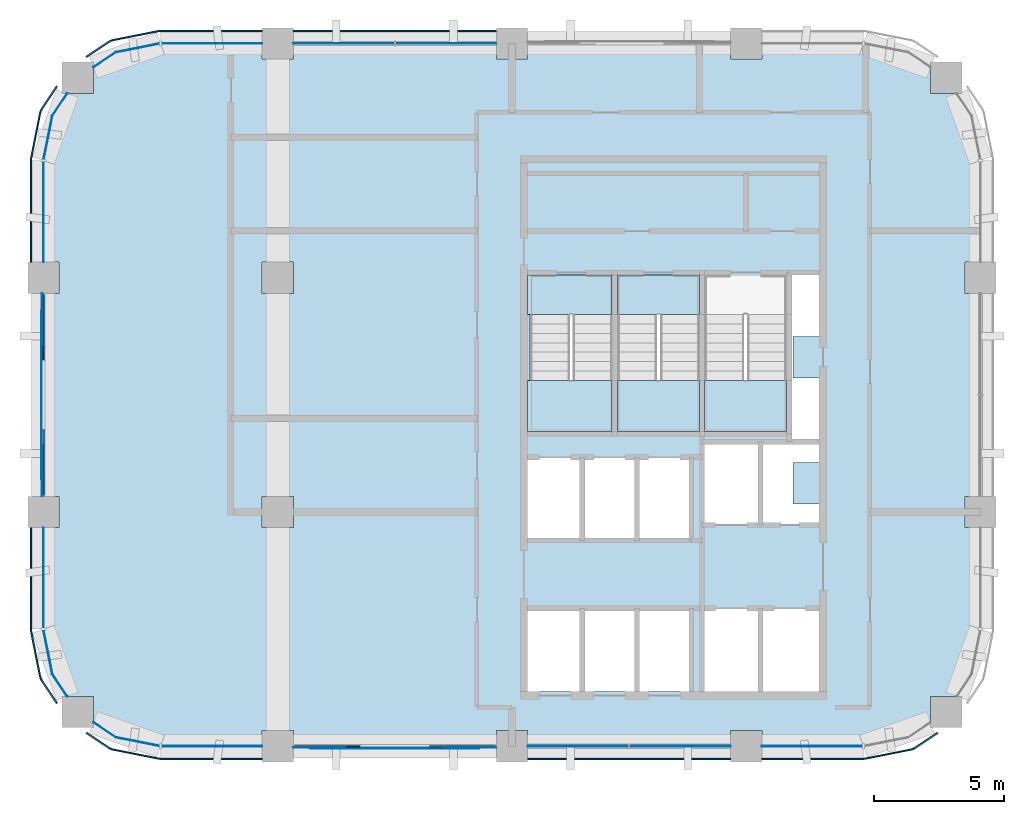
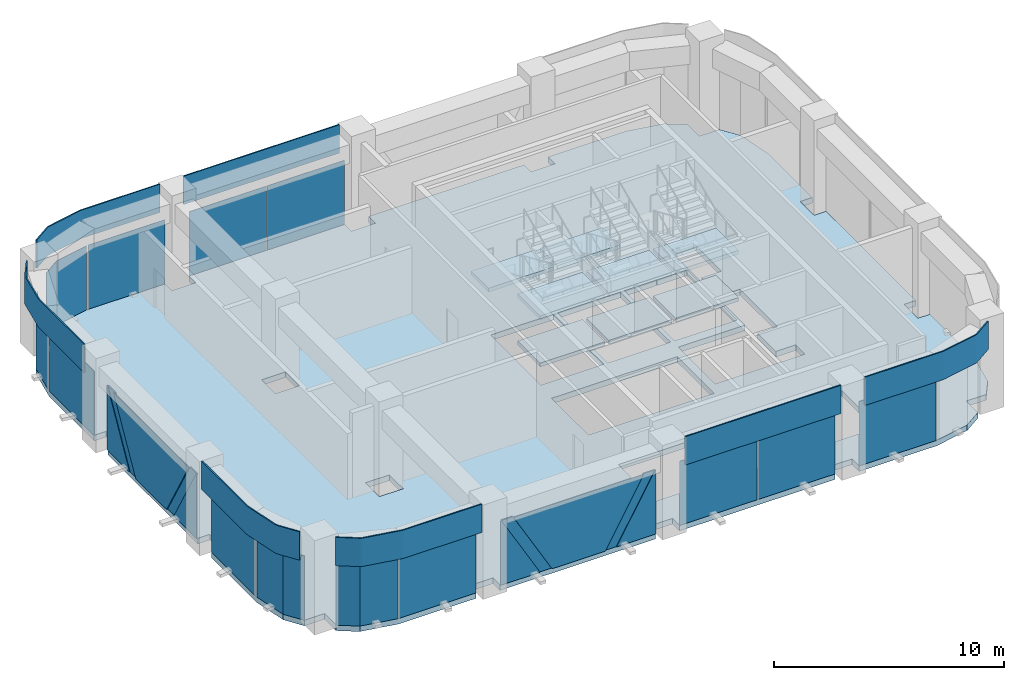
# One storey, part 6 of 11: 30 plates, 9 slabs, 12 elements without a shape of their own.
"""IFC4 building model written with IfcOpenShell, lengths in metres."""

from ifc_helpers import new_model, si_unit, direction, frame, origin, origin_2d, place, context, subcontext, project, spatial, polyline, rectangle, outline, extrude, material, layer, layer_set, type_object, element, aggregate, save


model = new_model("IFC4")

# Units and contexts
model_context = context("Model", 3, precision=1e-05, world=origin(), true_north=direction((0.0, 1.0)))
body_context = subcontext(model_context, "Body", "Model", "MODEL_VIEW")
ifc_project = project(units=[si_unit("LENGTHUNIT", "METRE"), si_unit("AREAUNIT", "SQUARE_METRE"), si_unit("VOLUMEUNIT", "CUBIC_METRE"), si_unit("PLANEANGLEUNIT", "RADIAN"), si_unit("MASSUNIT", "GRAM", prefix="KILO")], contexts=[model_context])

# Site, building, storey
site_placement = place(None, origin())
site = spatial("IfcSite", under=ifc_project, at=site_placement, CompositionType="ELEMENT")
building_placement = place(site_placement, origin())
building = spatial("IfcBuilding", under=site, at=building_placement, Name="Tessera Arch", CompositionType="ELEMENT")
storey_placement = place(building_placement, frame((0.0, 0.0, 290.199951171875)))
storey = spatial("IfcBuildingStorey", under=building, at=storey_placement, Name="L70", CompositionType="ELEMENT", Elevation=290.199951171875)

# Curtain wall, plates
ifc_material_1 = material(Name="CW1 curtain wall")
curtain_wall_type_1 = type_object("IfcCurtainWallType", Name="CW1 curtain wall", PredefinedType="NOTDEFINED", material=ifc_material_1)
curtain_wall_1_placement = place(storey_placement, origin())
curtain_wall_1 = element("IfcCurtainWall", 1, at=curtain_wall_1_placement, inside=storey, type_object=curtain_wall_type_1, Name="CW1 curtain wall N54.18/2 L70", PredefinedType="NOTDEFINED")
ifc_material_2 = material(Name="Clear low-e glass", Category="glass")
ifc_material_3 = material(Name="Clear low-e glass", Category="glass")
ifc_layer_1 = layer(ifc_material_3, 0.028076171875)
ifc_layer_set_1 = layer_set([ifc_layer_1], Name="CW1 glass panel")
plate_type_1 = type_object("IfcPlateType", Name="CW1 glass panel", PredefinedType="CURTAIN_PANEL", material=ifc_layer_set_1)
plate_1_placement = place(storey_placement, frame((33.465087890625, 54.0, 0.0), z_axis=(0.0, 0.0, 1.0), x_axis=(-1.0, 0.0, 0.0)))
plate_1 = element("IfcPlate", 2, at=plate_1_placement, type_object=plate_type_1, material=ifc_material_2, Name="CW1 glass panel N54.18/2 1.1.1", PredefinedType="CURTAIN_PANEL", context=body_context, shape_type="SweptSolid", body=[
    extrude(rectangle(XDim=3.8701171875, YDim=0.028076171875, at=origin_2d()), origin(), (0.0, 0.0, 1.0), 3.39990234375),
])
plate_2_placement = place(storey_placement, frame((29.534912109375, 54.0, 0.0), z_axis=(0.0, 0.0, 1.0), x_axis=(-1.0, 0.0, 0.0)))
plate_2 = element("IfcPlate", 3, at=plate_2_placement, type_object=plate_type_1, material=ifc_material_2, Name="CW1 glass panel N54.18/2 1.2.1", PredefinedType="CURTAIN_PANEL", context=body_context, shape_type="SweptSolid", body=[
    extrude(rectangle(XDim=3.8701171875, YDim=0.028076171875, at=origin_2d()), origin(), (0.0, 0.0, 1.0), 3.39990234375),
])

curtain_wall_2_placement = place(storey_placement, origin())
curtain_wall_2 = element("IfcCurtainWall", 4, at=curtain_wall_2_placement, inside=storey, type_object=curtain_wall_type_1, Name="CW1 curtain wall S27.18/2 L70", PredefinedType="NOTDEFINED")
plate_3_placement = place(storey_placement, frame((38.534912109375, 27.0, 0.0), z_axis=(0.0, 0.0, 1.0), x_axis=(1.0, 0.0, 0.0)))
plate_3 = element("IfcPlate", 5, at=plate_3_placement, type_object=plate_type_1, material=ifc_material_2, Name="CW1 glass panel S27.18/2 1.1.1", PredefinedType="CURTAIN_PANEL", context=body_context, shape_type="SweptSolid", body=[
    extrude(rectangle(XDim=3.8701171875, YDim=0.028076171875, at=origin_2d()), origin(), (0.0, 0.0, 1.0), 3.39990234375),
])
plate_4_placement = place(storey_placement, frame((42.465087890625, 27.0, 0.0), z_axis=(0.0, 0.0, 1.0), x_axis=(1.0, 0.0, 0.0)))
plate_4 = element("IfcPlate", 6, at=plate_4_placement, type_object=plate_type_1, material=ifc_material_2, Name="CW1 glass panel S27.18/2 1.2.1", PredefinedType="CURTAIN_PANEL", context=body_context, shape_type="SweptSolid", body=[
    extrude(rectangle(XDim=3.8701171875, YDim=0.028076171875, at=origin_2d()), origin(), (0.0, 0.0, 1.0), 3.39990234375),
])

# Plate
ifc_material_4 = material(Name="Pale anodised aluminium panel", Category="aluminium")
ifc_layer_2 = layer(ifc_material_4, 0.06005859375)
ifc_layer_set_2 = layer_set([ifc_layer_2], Name="CW1 spandrel panel")
plate_type_2 = type_object("IfcPlateType", Name="CW1 spandrel panel", PredefinedType="CURTAIN_PANEL", material=ifc_layer_set_2)
plate_5_placement = place(storey_placement, frame((31.5, 54.47998046875, 3.5), z_axis=(0.0, 0.0, 1.0), x_axis=(-1.0, 0.0, 0.0)))
plate_5 = element("IfcPlate", 7, at=plate_5_placement, type_object=plate_type_2, Name="CW1 spandrel panel N54.18/2", PredefinedType="CURTAIN_PANEL", context=body_context, shape_type="SweptSolid", body=[
    extrude(rectangle(XDim=7.800048828125, YDim=0.06005859375, at=origin_2d()), origin(), (0.0, 0.0, 1.0), 1.5),
])

aggregate(curtain_wall_1, [plate_1, plate_2, plate_5])

plate_6_placement = place(storey_placement, frame((40.5, 26.52001953125, 3.5), z_axis=(0.0, 0.0, 1.0), x_axis=(1.0, 0.0, 0.0)))
plate_6 = element("IfcPlate", 8, at=plate_6_placement, type_object=plate_type_2, Name="CW1 spandrel panel S27.18/2", PredefinedType="CURTAIN_PANEL", context=body_context, shape_type="SweptSolid", body=[
    extrude(rectangle(XDim=7.800048828125, YDim=0.06005859375, at=origin_2d()), origin(), (0.0, 0.0, 1.0), 1.5),
])

aggregate(curtain_wall_2, [plate_3, plate_4, plate_6])

# Curtain wall, plates
ifc_material_5 = material(Name="CW2 curtain wall")
curtain_wall_type_2 = type_object("IfcCurtainWallType", Name="CW2 curtain wall", PredefinedType="NOTDEFINED", material=ifc_material_5)
curtain_wall_3_placement = place(storey_placement, origin())
curtain_wall_3 = element("IfcCurtainWall", 9, at=curtain_wall_3_placement, inside=storey, type_object=curtain_wall_type_2, Name="CW2 curtain wall N54.18/3 L70", PredefinedType="NOTDEFINED")
ifc_material_6 = material(Name="Clear low-e glass", Category="glass")
ifc_layer_3 = layer(ifc_material_6, 0.028076171875)
ifc_layer_set_3 = layer_set([ifc_layer_3], Name="CW2 glass panel")
plate_type_3 = type_object("IfcPlateType", Name="CW2 glass panel", PredefinedType="CURTAIN_PANEL", material=ifc_layer_set_3)
plate_7_placement = place(storey_placement, frame((24.469970703125, 54.0, 0.0), z_axis=(0.0, 0.0, 1.0), x_axis=(-1.0, 0.0, 0.0)))
plate_7 = element("IfcPlate", 10, at=plate_7_placement, type_object=plate_type_3, material=ifc_material_2, Name="CW2 glass panel N54.18/3 1.1", PredefinedType="CURTAIN_PANEL", context=body_context, shape_type="SweptSolid", body=[
    extrude(rectangle(XDim=3.860107421875, YDim=0.028076171875, at=origin_2d()), origin(), (0.0, 0.0, 1.0), 3.39990234375),
])
plate_8_placement = place(storey_placement, origin())
plate_8 = element("IfcPlate", 11, at=plate_8_placement, type_object=plate_type_3, material=ifc_material_2, Name="CW2 curved glass panel N54.18/3 2.1", PredefinedType="CURTAIN_PANEL", context=body_context, shape_type="SweptSolid", body=[
    extrude(outline(polyline([(20.783447265625, 53.644287109375), (22.46337890625, 53.978515625), (22.4580078125, 54.005859375), (20.7724609375, 53.670654296875), (19.91015625, 53.094482421875), (19.92578125, 53.0712890625), (20.783447265625, 53.644287109375)])), origin(), (0.0, 0.0, 1.0), 3.400146484375),
])

curtain_wall_4_placement = place(storey_placement, origin())
curtain_wall_4 = element("IfcCurtainWall", 12, at=curtain_wall_4_placement, inside=storey, type_object=curtain_wall_type_2, Name="CW2 curtain wall W18.27/0 L70", PredefinedType="NOTDEFINED")
plate_9_placement = place(storey_placement, frame((18.0, 47.530029296875, 0.0), z_axis=(0.0, 0.0, 1.0), x_axis=(0.0, -1.0, 0.0)))
plate_9 = element("IfcPlate", 13, at=plate_9_placement, type_object=plate_type_3, material=ifc_material_2, Name="CW2 glass panel W18.27/0 1.1", PredefinedType="CURTAIN_PANEL", context=body_context, shape_type="SweptSolid", body=[
    extrude(rectangle(XDim=3.860107421875, YDim=0.028076171875, at=origin_2d()), origin(), (0.0, 0.0, 1.0), 3.39990234375),
])
plate_10_placement = place(storey_placement, origin())
plate_10 = element("IfcPlate", 14, at=plate_10_placement, type_object=plate_type_3, material=ifc_material_2, Name="CW2 curved glass panel W18.27/0 2.1", PredefinedType="CURTAIN_PANEL", context=body_context, shape_type="SweptSolid", body=[
    extrude(outline(polyline([(18.355712890625, 51.216552734375), (18.9287109375, 52.07421875), (18.905517578125, 52.08984375), (18.329345703125, 51.2275390625), (17.994140625, 49.5419921875), (18.021484375, 49.53662109375), (18.355712890625, 51.216552734375)])), origin(), (0.0, 0.0, 1.0), 3.400146484375),
])

curtain_wall_5_placement = place(storey_placement, origin())
curtain_wall_5 = element("IfcCurtainWall", 15, at=curtain_wall_5_placement, inside=storey, type_object=curtain_wall_type_2, Name="CW2 curtain wall W18.27/2 L70", PredefinedType="NOTDEFINED")
plate_11_placement = place(storey_placement, frame((18.0, 33.469970703125, 0.0), z_axis=(0.0, 0.0, 1.0), x_axis=(0.0, -1.0, 0.0)))
plate_11 = element("IfcPlate", 16, at=plate_11_placement, type_object=plate_type_3, material=ifc_material_2, Name="CW2 glass panel W18.27/2 1.1", PredefinedType="CURTAIN_PANEL", context=body_context, shape_type="SweptSolid", body=[
    extrude(rectangle(XDim=3.860107421875, YDim=0.028076171875, at=origin_2d()), origin(), (0.0, 0.0, 1.0), 3.39990234375),
])
plate_12_placement = place(storey_placement, origin())
plate_12 = element("IfcPlate", 17, at=plate_12_placement, type_object=plate_type_3, material=ifc_material_2, Name="CW2 curved glass panel W18.27/2 2.1", PredefinedType="CURTAIN_PANEL", context=body_context, shape_type="SweptSolid", body=[
    extrude(outline(polyline([(18.355712890625, 29.783447265625), (18.021484375, 31.46337890625), (17.994140625, 31.4580078125), (18.329345703125, 29.7724609375), (18.905517578125, 28.91015625), (18.9287109375, 28.92578125), (18.355712890625, 29.783447265625)])), origin(), (0.0, 0.0, 1.0), 3.400146484375),
])

curtain_wall_6_placement = place(storey_placement, origin())
curtain_wall_6 = element("IfcCurtainWall", 18, at=curtain_wall_6_placement, inside=storey, type_object=curtain_wall_type_2, Name="CW2 curtain wall S27.18/0 L70", PredefinedType="NOTDEFINED")
plate_13_placement = place(storey_placement, frame((24.469970703125, 27.0, 0.0), z_axis=(0.0, 0.0, 1.0), x_axis=(1.0, 0.0, 0.0)))
plate_13 = element("IfcPlate", 19, at=plate_13_placement, type_object=plate_type_3, material=ifc_material_2, Name="CW2 glass panel S27.18/0 1.1", PredefinedType="CURTAIN_PANEL", context=body_context, shape_type="SweptSolid", body=[
    extrude(rectangle(XDim=3.860107421875, YDim=0.028076171875, at=origin_2d()), origin(), (0.0, 0.0, 1.0), 3.39990234375),
])
plate_14_placement = place(storey_placement, origin())
plate_14 = element("IfcPlate", 20, at=plate_14_placement, type_object=plate_type_3, material=ifc_material_2, Name="CW2 curved glass panel S27.18/0 2.1", PredefinedType="CURTAIN_PANEL", context=body_context, shape_type="SweptSolid", body=[
    extrude(outline(polyline([(20.783447265625, 27.355712890625), (19.92578125, 27.9287109375), (19.91015625, 27.905517578125), (20.7724609375, 27.329345703125), (22.4580078125, 26.994140625), (22.46337890625, 27.021484375), (20.783447265625, 27.355712890625)])), origin(), (0.0, 0.0, 1.0), 3.400146484375),
])

# Curtain wall, plate
curtain_wall_7_placement = place(storey_placement, origin())
curtain_wall_7 = element("IfcCurtainWall", 21, at=curtain_wall_7_placement, inside=storey, type_object=curtain_wall_type_2, Name="CW2 curtain wall S27.18/3 L70", PredefinedType="NOTDEFINED")
plate_15_placement = place(storey_placement, frame((47.530029296875, 27.0, 0.0), z_axis=(0.0, 0.0, 1.0), x_axis=(1.0, 0.0, 0.0)))
plate_15 = element("IfcPlate", 22, at=plate_15_placement, type_object=plate_type_3, material=ifc_material_2, Name="CW2 glass panel S27.18/3 1.1", PredefinedType="CURTAIN_PANEL", context=body_context, shape_type="SweptSolid", body=[
    extrude(rectangle(XDim=3.860107421875, YDim=0.028076171875, at=origin_2d()), origin(), (0.0, 0.0, 1.0), 3.39990234375),
])

# Plate
ifc_material_7 = material(Name="Pale anodised aluminium panel", Category="aluminium")
ifc_layer_4 = layer(ifc_material_7, 0.06005859375)
ifc_layer_set_4 = layer_set([ifc_layer_4], Name="CW2 spandrel panel")
plate_type_4 = type_object("IfcPlateType", Name="CW2 spandrel panel", PredefinedType="CURTAIN_PANEL", material=ifc_layer_set_4)
plate_16_placement = place(storey_placement, frame((0.0, 0.0, 3.5)))
plate_16 = element("IfcPlate", 23, at=plate_16_placement, type_object=plate_type_4, Name="CW2 spandrel panel N54.18/3", PredefinedType="CURTAIN_PANEL", context=body_context, shape_type="SweptSolid", body=[
    extrude(outline(polyline([(22.500732421875, 54.449951171875), (26.39990234375, 54.449951171875), (26.39990234375, 54.510009765625), (22.499267578125, 54.510009765625), (22.449951171875, 54.507568359375), (22.401123046875, 54.500244140625), (20.677734375, 54.157470703125), (20.6298828125, 54.1455078125), (20.582763671875, 54.128662109375), (20.537353515625, 54.107421875), (20.4951171875, 54.08203125), (19.634765625, 53.5068359375), (19.66796875, 53.45703125), (20.52734375, 54.03125), (20.565673828125, 54.054443359375), (20.605712890625, 54.0732421875), (20.647216796875, 54.088134765625), (20.69091796875, 54.09912109375), (22.411376953125, 54.441162109375), (22.455810546875, 54.44775390625), (22.500732421875, 54.449951171875)])), origin(), (0.0, 0.0, 1.0), 1.5),
])

aggregate(curtain_wall_3, [plate_7, plate_8, plate_16])

plate_17_placement = place(storey_placement, frame((0.0, 0.0, 3.5)))
plate_17 = element("IfcPlate", 24, at=plate_17_placement, type_object=plate_type_4, Name="CW2 spandrel panel W18.27/0", PredefinedType="CURTAIN_PANEL", context=body_context, shape_type="SweptSolid", body=[
    extrude(outline(polyline([(17.96875, 51.47265625), (18.54296875, 52.33203125), (18.4931640625, 52.365234375), (17.91796875, 51.5048828125), (17.892578125, 51.462646484375), (17.871337890625, 51.417236328125), (17.8544921875, 51.3701171875), (17.842529296875, 51.322265625), (17.499755859375, 49.598876953125), (17.492431640625, 49.550048828125), (17.489990234375, 49.500732421875), (17.489990234375, 45.60009765625), (17.550048828125, 45.60009765625), (17.550048828125, 49.499267578125), (17.55224609375, 49.544189453125), (17.558837890625, 49.588623046875), (17.90087890625, 51.30908203125), (17.911865234375, 51.352783203125), (17.9267578125, 51.394287109375), (17.945556640625, 51.434326171875), (17.96875, 51.47265625)])), origin(), (0.0, 0.0, 1.0), 1.5),
])

aggregate(curtain_wall_4, [plate_9, plate_10, plate_17])

plate_18_placement = place(storey_placement, frame((0.0, 0.0, 3.5)))
plate_18 = element("IfcPlate", 25, at=plate_18_placement, type_object=plate_type_4, Name="CW2 spandrel panel W18.27/2", PredefinedType="CURTAIN_PANEL", context=body_context, shape_type="SweptSolid", body=[
    extrude(outline(polyline([(17.550048828125, 31.500732421875), (17.550048828125, 35.39990234375), (17.489990234375, 35.39990234375), (17.489990234375, 31.499267578125), (17.492431640625, 31.449951171875), (17.499755859375, 31.401123046875), (17.842529296875, 29.677734375), (17.8544921875, 29.6298828125), (17.871337890625, 29.582763671875), (17.892578125, 29.537353515625), (17.91796875, 29.4951171875), (18.4931640625, 28.634765625), (18.54296875, 28.66796875), (17.96875, 29.52734375), (17.945556640625, 29.565673828125), (17.9267578125, 29.605712890625), (17.911865234375, 29.647216796875), (17.90087890625, 29.69091796875), (17.558837890625, 31.411376953125), (17.55224609375, 31.455810546875), (17.550048828125, 31.500732421875)])), origin(), (0.0, 0.0, 1.0), 1.5),
])

aggregate(curtain_wall_5, [plate_11, plate_12, plate_18])

plate_19_placement = place(storey_placement, frame((0.0, 0.0, 3.5)))
plate_19 = element("IfcPlate", 26, at=plate_19_placement, type_object=plate_type_4, Name="CW2 spandrel panel S27.18/0", PredefinedType="CURTAIN_PANEL", context=body_context, shape_type="SweptSolid", body=[
    extrude(outline(polyline([(20.52734375, 26.96875), (19.66796875, 27.54296875), (19.634765625, 27.4931640625), (20.4951171875, 26.91796875), (20.537353515625, 26.892578125), (20.582763671875, 26.871337890625), (20.6298828125, 26.8544921875), (20.677734375, 26.842529296875), (22.401123046875, 26.499755859375), (22.449951171875, 26.492431640625), (22.499267578125, 26.489990234375), (26.39990234375, 26.489990234375), (26.39990234375, 26.550048828125), (22.500732421875, 26.550048828125), (22.455810546875, 26.55224609375), (22.411376953125, 26.558837890625), (20.69091796875, 26.90087890625), (20.647216796875, 26.911865234375), (20.605712890625, 26.9267578125), (20.565673828125, 26.945556640625), (20.52734375, 26.96875)])), origin(), (0.0, 0.0, 1.0), 1.5),
])

aggregate(curtain_wall_6, [plate_13, plate_14, plate_19])

plate_20_placement = place(storey_placement, frame((0.0, 0.0, 3.5)))
plate_20 = element("IfcPlate", 27, at=plate_20_placement, type_object=plate_type_4, Name="CW2 spandrel panel S27.18/3", PredefinedType="CURTAIN_PANEL", context=body_context, shape_type="SweptSolid", body=[
    extrude(outline(polyline([(49.499267578125, 26.550048828125), (45.60009765625, 26.550048828125), (45.60009765625, 26.489990234375), (49.500732421875, 26.489990234375), (49.550048828125, 26.492431640625), (49.598876953125, 26.499755859375), (51.322265625, 26.842529296875), (51.3701171875, 26.8544921875), (51.417236328125, 26.871337890625), (51.462646484375, 26.892578125), (51.5048828125, 26.91796875), (52.365234375, 27.4931640625), (52.33203125, 27.54296875), (51.47265625, 26.96875), (51.434326171875, 26.945556640625), (51.394287109375, 26.9267578125), (51.352783203125, 26.911865234375), (51.30908203125, 26.90087890625), (49.588623046875, 26.558837890625), (49.544189453125, 26.55224609375), (49.499267578125, 26.550048828125)])), origin(), (0.0, 0.0, 1.0), 1.5),
])

aggregate(curtain_wall_7, [plate_15, plate_20])

# Curtain wall, plates
ifc_material_8 = material(Name="CW3 curtain wall")
curtain_wall_type_3 = type_object("IfcCurtainWallType", Name="CW3 curtain wall", PredefinedType="NOTDEFINED", material=ifc_material_8)
curtain_wall_8_placement = place(storey_placement, origin())
curtain_wall_8 = element("IfcCurtainWall", 28, at=curtain_wall_8_placement, inside=storey, type_object=curtain_wall_type_3, Name="CW3 curtain wall W18.27/1 L70", PredefinedType="NOTDEFINED")
ifc_material_9 = material(Name="Pale anodised aluminium panel", Category="aluminium")
ifc_layer_5 = layer(ifc_material_9, 0.06005859375)
ifc_layer_set_5 = layer_set([ifc_layer_5], Name="CW3 diagonal panel")
plate_type_5 = type_object("IfcPlateType", Name="CW3 diagonal panel", PredefinedType="CURTAIN_PANEL", material=ifc_layer_set_5)
plate_21_placement = place(storey_placement, frame((17.969970703125, 36.651123046875, 3.400146484375), z_axis=(-1.0, 0.0, 0.0), x_axis=(0.0, 1.0, 0.0)))
plate_21 = element("IfcPlate", 29, at=plate_21_placement, type_object=plate_type_5, Name="CW3 diagonal panel W18.27/1 1", PredefinedType="CURTAIN_PANEL", context=body_context, shape_type="SweptSolid", body=[
    extrude(outline(polyline([(0.0, 0.0), (0.5810546875, 0.0), (2.516845703125, 3.400146484375), (1.935791015625, 3.400146484375), (0.0, 0.0)])), origin(), (0.0, 0.0, -1.0), 0.06005859375),
])
plate_22_placement = place(storey_placement, frame((17.969970703125, 43.767822265625, 3.400146484375), z_axis=(-1.0, 0.0, 0.0), x_axis=(0.0, 1.0, 0.0)))
plate_22 = element("IfcPlate", 30, at=plate_22_placement, type_object=plate_type_5, Name="CW3 diagonal panel W18.27/1 2", PredefinedType="CURTAIN_PANEL", context=body_context, shape_type="SweptSolid", body=[
    extrude(outline(polyline([(0.0, 0.0), (0.5810546875, 0.0), (-1.354736328125, 3.400146484375), (-1.935791015625, 3.400146484375), (0.0, 0.0)])), origin(), (0.0, 0.0, -1.0), 0.06005859375),
])

curtain_wall_9_placement = place(storey_placement, origin())
curtain_wall_9 = element("IfcCurtainWall", 31, at=curtain_wall_9_placement, inside=storey, type_object=curtain_wall_type_3, Name="CW3 curtain wall S27.18/1 L70", PredefinedType="NOTDEFINED")
plate_23_placement = place(storey_placement, frame((35.348876953125, 26.969970703125, 3.400146484375), z_axis=(0.0, -1.0, 0.0), x_axis=(-1.0, 0.0, 0.0)))
plate_23 = element("IfcPlate", 32, at=plate_23_placement, type_object=plate_type_5, Name="CW3 diagonal panel S27.18/1 1", PredefinedType="CURTAIN_PANEL", context=body_context, shape_type="SweptSolid", body=[
    extrude(outline(polyline([(0.0, 0.0), (0.5810546875, 0.0), (2.516845703125, 3.400146484375), (1.935791015625, 3.400146484375), (0.0, 0.0)])), origin(), (0.0, 0.0, -1.0), 0.06005859375),
])
plate_24_placement = place(storey_placement, frame((28.232177734375, 26.969970703125, 3.400146484375), z_axis=(0.0, -1.0, 0.0), x_axis=(-1.0, 0.0, 0.0)))
plate_24 = element("IfcPlate", 33, at=plate_24_placement, type_object=plate_type_5, Name="CW3 diagonal panel S27.18/1 2", PredefinedType="CURTAIN_PANEL", context=body_context, shape_type="SweptSolid", body=[
    extrude(outline(polyline([(0.0, 0.0), (0.5810546875, 0.0), (-1.354736328125, 3.400146484375), (-1.935791015625, 3.400146484375), (0.0, 0.0)])), origin(), (0.0, 0.0, -1.0), 0.06005859375),
])

# Plate
ifc_material_10 = material(Name="Clear low-e glass", Category="glass")
ifc_layer_6 = layer(ifc_material_10, 0.028076171875)
ifc_layer_set_6 = layer_set([ifc_layer_6], Name="CW3 glass panel")
plate_type_6 = type_object("IfcPlateType", Name="CW3 glass panel", PredefinedType="CURTAIN_PANEL", material=ifc_layer_set_6)
plate_25_placement = place(storey_placement, frame((17.94189453125, 44.39990234375, 0.0), z_axis=(-1.0, 0.0, 0.0), x_axis=(0.0, -1.0, 0.0)))
plate_25 = element("IfcPlate", 34, at=plate_25_placement, type_object=plate_type_6, material=ifc_material_2, Name="CW3 triangulated glass panel W18.27/1 1", PredefinedType="CURTAIN_PANEL", context=body_context, shape_type="SweptSolid", body=[
    extrude(outline(polyline([(0.0, 0.0), (1.98681640625, 0.0), (0.051025390625, 3.400146484375), (0.0, 3.400146484375), (0.0, 0.0)])), origin(), (0.0, 0.0, -1.0), 0.028076171875),
])

plate_26_placement = place(storey_placement, frame((17.9140625, 37.232177734375, 3.400146484375), z_axis=(-1.0, 0.0, 0.0), x_axis=(0.0, 1.0, 0.0)))
plate_26 = element("IfcPlate", 35, at=plate_26_placement, type_object=plate_type_6, material=ifc_material_2, Name="CW3 triangulated glass panel W18.27/1 2", PredefinedType="CURTAIN_PANEL", context=body_context, shape_type="SweptSolid", body=[
    extrude(outline(polyline([(0.0, 0.0), (6.53564453125, 0.0), (4.599853515625, 3.400146484375), (1.935791015625, 3.400146484375), (0.0, 0.0)])), origin(), (0.0, 0.0, -1.0), 0.028076171875),
])

plate_27_placement = place(storey_placement, frame((17.94189453125, 36.60009765625, 3.400146484375), z_axis=(-1.0, 0.0, 0.0), x_axis=(0.0, 1.0, 0.0)))
plate_27 = element("IfcPlate", 36, at=plate_27_placement, type_object=plate_type_6, material=ifc_material_2, Name="CW3 triangulated glass panel W18.27/1 3", PredefinedType="CURTAIN_PANEL", context=body_context, shape_type="SweptSolid", body=[
    extrude(outline(polyline([(0.0, 0.0), (0.051025390625, 0.0), (1.98681640625, 3.400146484375), (0.0, 3.400146484375), (0.0, 0.0)])), origin(), (0.0, 0.0, -1.0), 0.028076171875),
])

aggregate(curtain_wall_8, [plate_25, plate_26, plate_27, plate_21, plate_22])

plate_28_placement = place(storey_placement, frame((27.60009765625, 26.94189453125, 0.0), z_axis=(0.0, -1.0, 0.0), x_axis=(1.0, 0.0, 0.0)))
plate_28 = element("IfcPlate", 37, at=plate_28_placement, type_object=plate_type_6, material=ifc_material_2, Name="CW3 triangulated glass panel S27.18/1 1", PredefinedType="CURTAIN_PANEL", context=body_context, shape_type="SweptSolid", body=[
    extrude(outline(polyline([(0.0, 0.0), (1.98681640625, 0.0), (0.051025390625, 3.400146484375), (0.0, 3.400146484375), (0.0, 0.0)])), origin(), (0.0, 0.0, -1.0), 0.028076171875),
])

plate_29_placement = place(storey_placement, frame((34.767822265625, 26.9140625, 3.400146484375), z_axis=(0.0, -1.0, 0.0), x_axis=(-1.0, 0.0, 0.0)))
plate_29 = element("IfcPlate", 38, at=plate_29_placement, type_object=plate_type_6, material=ifc_material_2, Name="CW3 triangulated glass panel S27.18/1 2", PredefinedType="CURTAIN_PANEL", context=body_context, shape_type="SweptSolid", body=[
    extrude(outline(polyline([(0.0, 0.0), (6.53564453125, 0.0), (4.599853515625, 3.400146484375), (1.935791015625, 3.400146484375), (0.0, 0.0)])), origin(), (0.0, 0.0, -1.0), 0.028076171875),
])

plate_30_placement = place(storey_placement, frame((35.39990234375, 26.94189453125, 3.400146484375), z_axis=(0.0, -1.0, 0.0), x_axis=(-1.0, 0.0, 0.0)))
plate_30 = element("IfcPlate", 39, at=plate_30_placement, type_object=plate_type_6, material=ifc_material_2, Name="CW3 triangulated glass panel S27.18/1 3", PredefinedType="CURTAIN_PANEL", context=body_context, shape_type="SweptSolid", body=[
    extrude(outline(polyline([(0.0, 0.0), (0.051025390625, 0.0), (1.98681640625, 3.400146484375), (0.0, 3.400146484375), (0.0, 0.0)])), origin(), (0.0, 0.0, -1.0), 0.028076171875),
])

aggregate(curtain_wall_9, [plate_28, plate_29, plate_30, plate_23, plate_24])

# Slab
ifc_material_11 = material(Name="Concrete C40/50", Category="concrete")
ifc_layer_7 = layer(ifc_material_11, 0.300048828125)
ifc_layer_set_7 = layer_set([ifc_layer_7], Name="Floor slab 300 Concrete C40/50")
slab_type_1 = type_object("IfcSlabType", Name="Floor slab 300 Concrete C40/50", PredefinedType="FLOOR", material=ifc_layer_set_7)
slab_1_placement = place(storey_placement, frame((0.0, 0.0, -0.300048828125)))
element("IfcSlab", 40, at=slab_1_placement, inside=storey, type_object=slab_type_1, Name="Floor slab L70 1", PredefinedType="FLOOR", context=body_context, shape_type="SweptSolid", body=[
    extrude(outline(polyline([(54.0, 31.5), (53.657470703125, 29.77783203125), (53.0830078125, 28.91796875), (52.08203125, 28.91796875), (52.08203125, 27.9169921875), (51.22216796875, 27.342529296875), (49.5, 27.0), (45.60009765625, 27.0), (45.60009765625, 27.60009765625), (44.39990234375, 27.60009765625), (44.39990234375, 27.0), (36.60009765625, 27.0), (36.60009765625, 27.60009765625), (35.39990234375, 27.60009765625), (35.39990234375, 27.0), (27.60009765625, 27.0), (27.60009765625, 27.60009765625), (26.39990234375, 27.60009765625), (26.39990234375, 27.0), (22.5, 27.0), (20.77783203125, 27.342529296875), (19.91796875, 27.9169921875), (19.91796875, 28.91796875), (18.9169921875, 28.91796875), (18.342529296875, 29.77783203125), (18.0, 31.5), (18.0, 35.39990234375), (18.60009765625, 35.39990234375), (18.60009765625, 36.60009765625), (18.0, 36.60009765625), (18.0, 44.39990234375), (18.60009765625, 44.39990234375), (18.60009765625, 45.60009765625), (18.0, 45.60009765625), (18.0, 49.5), (18.342529296875, 51.22216796875), (18.9169921875, 52.08203125), (19.91796875, 52.08203125), (19.91796875, 53.0830078125), (20.77783203125, 53.657470703125), (22.5, 54.0), (26.39990234375, 54.0), (26.39990234375, 53.39990234375), (27.60009765625, 53.39990234375), (27.60009765625, 54.0), (35.39990234375, 54.0), (35.39990234375, 53.39990234375), (36.60009765625, 53.39990234375), (36.60009765625, 54.0), (44.39990234375, 54.0), (44.39990234375, 53.39990234375), (45.60009765625, 53.39990234375), (45.60009765625, 54.0), (49.5, 54.0), (51.22216796875, 53.657470703125), (52.08203125, 53.0830078125), (52.08203125, 52.08203125), (53.0830078125, 52.08203125), (53.657470703125, 51.22216796875), (54.0, 49.5), (54.0, 45.60009765625), (53.39990234375, 45.60009765625), (53.39990234375, 44.39990234375), (54.0, 44.39990234375), (54.0, 36.60009765625), (53.39990234375, 36.60009765625), (53.39990234375, 35.39990234375), (54.0, 35.39990234375), (54.0, 31.5)]), holes=[polyline([(40.800048828125, 29.10009765625), (42.89990234375, 29.10009765625), (42.89990234375, 32.300048828125), (40.800048828125, 32.300048828125), (38.699951171875, 32.300048828125), (36.60009765625, 32.300048828125), (36.60009765625, 29.10009765625), (38.699951171875, 29.10009765625), (40.800048828125, 29.10009765625)]), polyline([(27.60009765625, 35.39990234375), (27.60009765625, 36.60009765625), (26.39990234375, 36.60009765625), (26.39990234375, 35.39990234375), (27.60009765625, 35.39990234375)]), polyline([(40.800048828125, 34.89990234375), (42.89990234375, 34.89990234375), (42.89990234375, 38.10009765625), (40.800048828125, 38.10009765625), (38.699951171875, 38.10009765625), (36.60009765625, 38.10009765625), (36.60009765625, 34.89990234375), (38.699951171875, 34.89990234375), (40.800048828125, 34.89990234375)]), polyline([(38.219970703125, 43.580078125), (38.219970703125, 43.570068359375), (36.699951171875, 43.570068359375), (36.699951171875, 39.199951171875), (39.85009765625, 39.199951171875), (39.85009765625, 43.570068359375), (38.330078125, 43.570068359375), (38.330078125, 43.580078125), (38.219970703125, 43.580078125)]), polyline([(27.60009765625, 44.39990234375), (27.60009765625, 45.60009765625), (26.39990234375, 45.60009765625), (26.39990234375, 44.39990234375), (27.60009765625, 44.39990234375)]), polyline([(47.800048828125, 32.300048828125), (45.550048828125, 32.300048828125), (43.300048828125, 32.300048828125), (43.300048828125, 29.10009765625), (45.550048828125, 29.10009765625), (47.800048828125, 29.10009765625), (47.800048828125, 32.300048828125)]), polyline([(46.64990234375, 38.699951171875), (45.550048828125, 38.699951171875), (43.300048828125, 38.699951171875), (43.300048828125, 35.5), (45.550048828125, 35.5), (47.800048828125, 35.5), (47.800048828125, 36.300048828125), (46.800048828125, 36.300048828125), (46.800048828125, 37.89990234375), (47.800048828125, 37.89990234375), (47.800048828125, 38.699951171875), (47.800048828125, 41.14990234375), (46.800048828125, 41.14990234375), (46.800048828125, 42.75), (47.800048828125, 42.75), (47.800048828125, 45.199951171875), (46.64990234375, 45.199951171875), (46.64990234375, 38.699951171875)]), polyline([(41.570068359375, 43.580078125), (41.570068359375, 43.570068359375), (40.050048828125, 43.570068359375), (40.050048828125, 39.199951171875), (43.199951171875, 39.199951171875), (43.199951171875, 43.570068359375), (41.679931640625, 43.570068359375), (41.679931640625, 43.580078125), (41.570068359375, 43.580078125)]), polyline([(44.919921875, 43.580078125), (44.919921875, 43.570068359375), (43.39990234375, 43.570068359375), (43.39990234375, 39.199951171875), (46.550048828125, 39.199951171875), (46.550048828125, 43.570068359375), (45.030029296875, 43.570068359375), (45.030029296875, 43.580078125), (44.919921875, 43.580078125)])]), origin(), (0.0, 0.0, 1.0), 0.300048828125),
])

# Stair, slabs
ifc_material_12 = material(Name="Concrete C40/50", Category="concrete")
stair_type = type_object("IfcStairType", Name="Dogleg stair 1520", PredefinedType="HALF_TURN_STAIR", material=ifc_material_12)
stair_1_placement = place(storey_placement, origin())
stair_1 = element("IfcStair", 41, at=stair_1_placement, inside=storey, type_object=stair_type, Name="L70 S1a", PredefinedType="HALF_TURN_STAIR")
ifc_material_13 = material(Name="Concrete C40/50", Category="concrete")
ifc_layer_8 = layer(ifc_material_13, 0.300048828125)
ifc_layer_set_8 = layer_set([ifc_layer_8], Name="Stair landing 300")
slab_type_2 = type_object("IfcSlabType", Name="Stair landing 300", PredefinedType="LANDING", material=ifc_layer_set_8)
slab_2_placement = place(storey_placement, frame((0.0, 0.0, 1.050048828125)))
slab_2 = element("IfcSlab", 42, at=slab_2_placement, type_object=slab_type_2, Name="S1a landing 1", PredefinedType="LANDING", context=body_context, shape_type="SweptSolid", body=[
    extrude(outline(polyline([(36.60009765625, 41.06005859375), (36.60009765625, 39.10009765625), (39.85009765625, 39.10009765625), (39.85009765625, 41.06005859375), (36.60009765625, 41.06005859375)])), origin(), (0.0, 0.0, 1.0), 0.199951171875),
])
slab_3_placement = place(storey_placement, frame((0.0, 0.0, 2.300048828125)))
slab_3 = element("IfcSlab", 43, at=slab_3_placement, type_object=slab_type_2, Name="S1a landing 2", PredefinedType="LANDING", context=body_context, shape_type="SweptSolid", body=[
    extrude(outline(polyline([(36.60009765625, 45.10009765625), (36.60009765625, 43.580078125), (39.85009765625, 43.580078125), (39.85009765625, 45.10009765625), (36.60009765625, 45.10009765625)])), origin(), (0.0, 0.0, 1.0), 0.199951171875),
])
slab_4_placement = place(storey_placement, frame((0.0, 0.0, 3.550048828125)))
slab_4 = element("IfcSlab", 44, at=slab_4_placement, type_object=slab_type_2, Name="S1a landing 3", PredefinedType="LANDING", context=body_context, shape_type="SweptSolid", body=[
    extrude(outline(polyline([(36.60009765625, 41.06005859375), (36.60009765625, 39.10009765625), (39.85009765625, 39.10009765625), (39.85009765625, 41.06005859375), (36.60009765625, 41.06005859375)])), origin(), (0.0, 0.0, 1.0), 0.199951171875),
])
aggregate(stair_1, [slab_2, slab_3, slab_4])

stair_2_placement = place(storey_placement, origin())
stair_2 = element("IfcStair", 45, at=stair_2_placement, inside=storey, type_object=stair_type, Name="L70 S1b", PredefinedType="HALF_TURN_STAIR")
slab_5_placement = place(storey_placement, frame((0.0, 0.0, 1.050048828125)))
slab_5 = element("IfcSlab", 46, at=slab_5_placement, type_object=slab_type_2, Name="S1b landing 1", PredefinedType="LANDING", context=body_context, shape_type="SweptSolid", body=[
    extrude(outline(polyline([(40.050048828125, 41.06005859375), (40.050048828125, 39.10009765625), (43.199951171875, 39.10009765625), (43.199951171875, 41.06005859375), (40.050048828125, 41.06005859375)])), origin(), (0.0, 0.0, 1.0), 0.199951171875),
])
slab_6_placement = place(storey_placement, frame((0.0, 0.0, 2.300048828125)))
slab_6 = element("IfcSlab", 47, at=slab_6_placement, type_object=slab_type_2, Name="S1b landing 2", PredefinedType="LANDING", context=body_context, shape_type="SweptSolid", body=[
    extrude(outline(polyline([(40.050048828125, 45.10009765625), (40.050048828125, 43.580078125), (43.199951171875, 43.580078125), (43.199951171875, 45.10009765625), (40.050048828125, 45.10009765625)])), origin(), (0.0, 0.0, 1.0), 0.199951171875),
])
slab_7_placement = place(storey_placement, frame((0.0, 0.0, 3.550048828125)))
slab_7 = element("IfcSlab", 48, at=slab_7_placement, type_object=slab_type_2, Name="S1b landing 3", PredefinedType="LANDING", context=body_context, shape_type="SweptSolid", body=[
    extrude(outline(polyline([(40.050048828125, 41.06005859375), (40.050048828125, 39.10009765625), (43.199951171875, 39.10009765625), (43.199951171875, 41.06005859375), (40.050048828125, 41.06005859375)])), origin(), (0.0, 0.0, 1.0), 0.199951171875),
])
aggregate(stair_2, [slab_5, slab_6, slab_7])

stair_3_placement = place(storey_placement, origin())
stair_3 = element("IfcStair", 49, at=stair_3_placement, inside=storey, type_object=stair_type, Name="L70 S1c", PredefinedType="HALF_TURN_STAIR")
slab_8_placement = place(storey_placement, frame((0.0, 0.0, 1.050048828125)))
slab_8 = element("IfcSlab", 50, at=slab_8_placement, type_object=slab_type_2, Name="S1c landing 1", PredefinedType="LANDING", context=body_context, shape_type="SweptSolid", body=[
    extrude(outline(polyline([(43.39990234375, 41.06005859375), (43.39990234375, 39.10009765625), (46.550048828125, 39.10009765625), (46.550048828125, 41.06005859375), (43.39990234375, 41.06005859375)])), origin(), (0.0, 0.0, 1.0), 0.199951171875),
])
slab_9_placement = place(storey_placement, frame((0.0, 0.0, 3.550048828125)))
slab_9 = element("IfcSlab", 51, at=slab_9_placement, type_object=slab_type_2, Name="S1c landing 3", PredefinedType="LANDING", context=body_context, shape_type="SweptSolid", body=[
    extrude(outline(polyline([(43.39990234375, 41.06005859375), (43.39990234375, 39.10009765625), (46.550048828125, 39.10009765625), (46.550048828125, 41.06005859375), (43.39990234375, 41.06005859375)])), origin(), (0.0, 0.0, 1.0), 0.199951171875),
])
aggregate(stair_3, [slab_8, slab_9])

save(model, "model.ifc")
